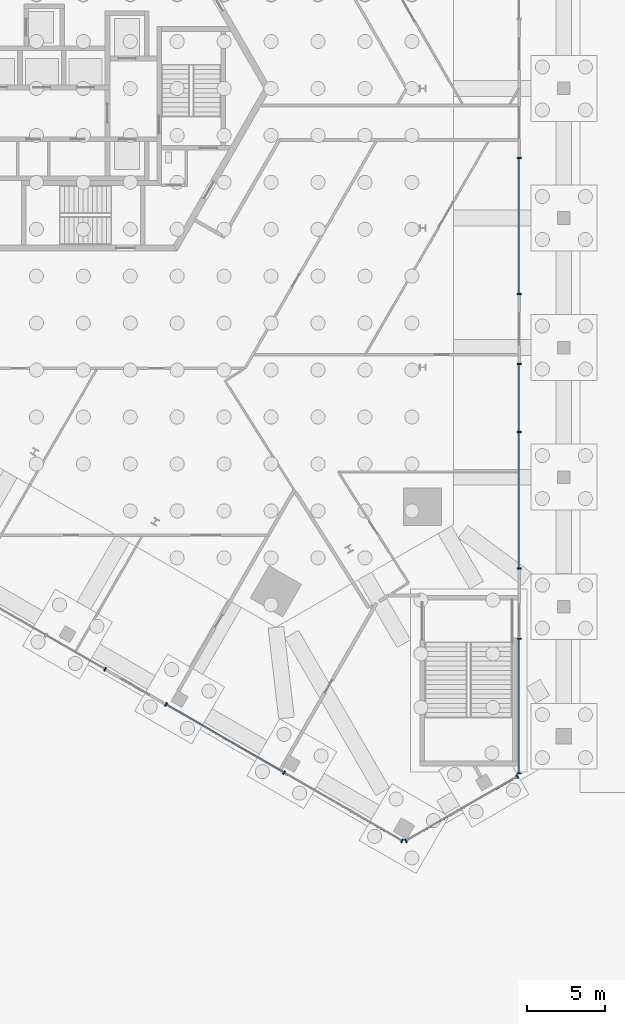
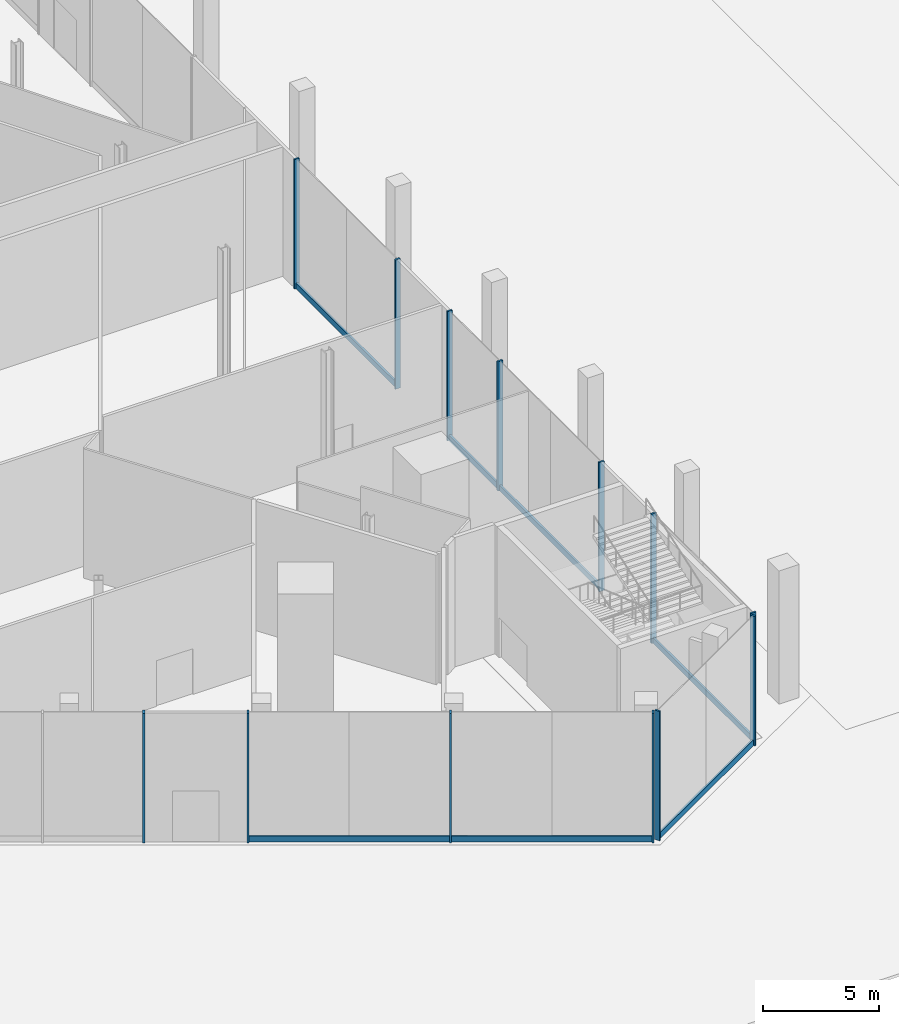
# One storey, part 10 of 27: 20 members, 6 elements without a shape of their own.
"""IFC4 building model written with IfcOpenShell, lengths in metres."""

from ifc_helpers import new_model, si_unit, direction, frame, origin, origin_2d, place, context, subcontext, project, spatial, rectangle, extrude, source, transform, mapped, material, material_profile, profile_set, type_object, element, aggregate, save


model = new_model("IFC4")

# Units and contexts
model_context = context("Model", 3, precision=1e-05, world=origin(), true_north=direction((0.0, 1.0)))
body_context = subcontext(model_context, "Body", "Model", "MODEL_VIEW")
ifc_project = project(units=[si_unit("LENGTHUNIT", "METRE"), si_unit("AREAUNIT", "SQUARE_METRE"), si_unit("VOLUMEUNIT", "CUBIC_METRE"), si_unit("PLANEANGLEUNIT", "RADIAN"), si_unit("MASSUNIT", "GRAM", prefix="KILO")], contexts=[model_context])

# Site, building, storey
site_placement = place(None, origin())
site = spatial("IfcSite", under=ifc_project, at=site_placement, CompositionType="ELEMENT")
building_placement = place(site_placement, origin())
building = spatial("IfcBuilding", under=site, at=building_placement, Name="Triune Harvest Tower", CompositionType="ELEMENT")
storey_placement = place(building_placement, origin())
storey = spatial("IfcBuildingStorey", under=building, at=storey_placement, Name="L00", CompositionType="ELEMENT", Elevation=0.0)

# Curtain wall, member
ifc_material_1 = material(Name="Aluminium bronze anodised", Category="aluminium")
curtain_wall_type = type_object("IfcCurtainWallType", Name="CW-2 Podium shopfront wall", PredefinedType="NOTDEFINED", material=ifc_material_1)
curtain_wall_1_placement = place(storey_placement, origin())
curtain_wall_1 = element("IfcCurtainWall", 1, at=curtain_wall_1_placement, inside=storey, type_object=curtain_wall_type, Name="CW-2 PD-F1 L00 run 2")
ifc_material_2 = material(Name="Aluminium bronze anodised", Category="aluminium")
ifc_material_profile_1 = material_profile(ifc_material_2, rectangle(XDim=0.10009765625, YDim=0.300048828125, at=origin_2d()), Name="TR-2 transom 100 x 300")
ifc_profile_set_1 = profile_set([ifc_material_profile_1], Name="Aluminium bronze anodised")
member_type_1 = type_object("IfcMemberType", Name="TR-2 transom 100 x 300", PredefinedType="USERDEFINED", material=ifc_profile_set_1)
member_1_placement = place(storey_placement, frame((27.854248046875, -21.90771484375, 0.14990234375), z_axis=(0.0, 1.0, 0.0), x_axis=(-1.0, 0.0, 0.0)))
member_1 = element("IfcMember", 2, at=member_1_placement, type_object=member_type_1, Name="CW-2 transom PD-F1 2.2", ObjectType="TRANSOM", PredefinedType="USERDEFINED", context=body_context, shape_type="SweptSolid", body=[
    extrude(rectangle(XDim=0.10009765625, YDim=0.300048828125, at=origin_2d()), origin(), (0.0, 0.0, 1.0), 4.255615234375),
])

# Curtain wall, members
curtain_wall_2_placement = place(storey_placement, origin())
curtain_wall_2 = element("IfcCurtainWall", 3, at=curtain_wall_2_placement, inside=storey, type_object=curtain_wall_type, Name="CW-2 PD-F1 L00 run 1")
ifc_material_3 = material(Name="Aluminium bronze anodised", Category="aluminium")
ifc_material_profile_2 = material_profile(ifc_material_3, rectangle(XDim=0.25, YDim=0.090087890625, at=origin_2d()), Name="MU-2 mullion 90 x 250")
ifc_profile_set_2 = profile_set([ifc_material_profile_2], Name="Aluminium bronze anodised")
member_type_2 = type_object("IfcMemberType", Name="MU-2 mullion 90 x 250", PredefinedType="MULLION", material=ifc_profile_set_2)
shared_shape_1 = source(origin(), body_context, "Body", "SweptSolid", [
    extrude(rectangle(XDim=0.25, YDim=0.090087890625, at=origin_2d()), origin(), (0.0, 0.0, 1.0), 6.800048828125),
])
member_2_placement = place(storey_placement, frame((27.854248046875, -43.770263671875, 0.0), z_axis=(0.0, 0.0, 1.0), x_axis=(-1.0, 0.0, 0.0)))
member_2 = element("IfcMember", 4, at=member_2_placement, type_object=member_type_2, Name="CW-2 mullion PD-F1 1.1", PredefinedType="MULLION", context=body_context, shape_type="MappedRepresentation", body=[
    mapped(shared_shape_1, transform((0.0, 0.0, 0.0), scale=1.0)),
])
member_3_placement = place(storey_placement, frame((27.854248046875, -35.169189453125, 0.0), z_axis=(0.0, 0.0, 1.0), x_axis=(-1.0, 0.0, 0.0)))
member_3 = element("IfcMember", 5, at=member_3_placement, type_object=member_type_2, Name="CW-2 mullion PD-F1 1.3", PredefinedType="MULLION", context=body_context, shape_type="MappedRepresentation", body=[
    mapped(shared_shape_1, transform((0.0, 0.0, 0.0), scale=1.0)),
])

# Member
member_4_placement = place(storey_placement, frame((27.854248046875, -30.688720703125, 0.0), z_axis=(0.0, 0.0, 1.0), x_axis=(-1.0, 0.0, 0.0)))
member_4 = element("IfcMember", 6, at=member_4_placement, type_object=member_type_2, Name="CW-2 mullion PD-F1 2.1", PredefinedType="MULLION", context=body_context, shape_type="MappedRepresentation", body=[
    mapped(shared_shape_1, transform((0.0, 0.0, 0.0), scale=1.0)),
])

member_5_placement = place(storey_placement, frame((27.854248046875, -21.95263671875, 0.0), z_axis=(0.0, 0.0, 1.0), x_axis=(-1.0, 0.0, 0.0)))
member_5 = element("IfcMember", 7, at=member_5_placement, type_object=member_type_2, Name="CW-2 mullion PD-F1 2.3", PredefinedType="MULLION", context=body_context, shape_type="MappedRepresentation", body=[
    mapped(shared_shape_1, transform((0.0, 0.0, 0.0), scale=1.0)),
])

member_6_placement = place(storey_placement, frame((27.854248046875, -17.607177734375, 0.0), z_axis=(0.0, 0.0, 1.0), x_axis=(-1.0, 0.0, 0.0)))
member_6 = element("IfcMember", 8, at=member_6_placement, type_object=member_type_2, Name="CW-2 mullion PD-F1 2.4", PredefinedType="MULLION", context=body_context, shape_type="MappedRepresentation", body=[
    mapped(shared_shape_1, transform((0.0, 0.0, 0.0), scale=1.0)),
])

# Curtain wall, members
curtain_wall_3_placement = place(storey_placement, origin())
curtain_wall_3 = element("IfcCurtainWall", 9, at=curtain_wall_3_placement, inside=storey, type_object=curtain_wall_type, Name="CW-2 PD-F1 L00 run 3")
member_7_placement = place(storey_placement, frame((27.854248046875, -13.12646484375, 0.0), z_axis=(0.0, 0.0, 1.0), x_axis=(-1.0, 0.0, 0.0)))
member_7 = element("IfcMember", 10, at=member_7_placement, type_object=member_type_2, Name="CW-2 mullion PD-F1 3.1", PredefinedType="MULLION", context=body_context, shape_type="MappedRepresentation", body=[
    mapped(shared_shape_1, transform((0.0, 0.0, 0.0), scale=1.0)),
])
member_8_placement = place(storey_placement, frame((27.854248046875, -4.435546875, 0.0), z_axis=(0.0, 0.0, 1.0), x_axis=(-1.0, 0.0, 0.0)))
member_8 = element("IfcMember", 11, at=member_8_placement, type_object=member_type_2, Name="CW-2 mullion PD-F1 3.3", PredefinedType="MULLION", context=body_context, shape_type="MappedRepresentation", body=[
    mapped(shared_shape_1, transform((0.0, 0.0, 0.0), scale=1.0)),
])

# Curtain wall, member
curtain_wall_4_placement = place(storey_placement, origin())
curtain_wall_4 = element("IfcCurtainWall", 12, at=curtain_wall_4_placement, inside=storey, type_object=curtain_wall_type, Name="CW-2 PD-F5 L00 run 3")
member_9_placement = place(storey_placement, frame((1.39208984375, -37.1240234375, 0.0), z_axis=(0.0, 0.0, 1.0), x_axis=(0.500000221117, 0.866025276122, 0.0)))
member_9 = element("IfcMember", 13, at=member_9_placement, type_object=member_type_2, Name="CW-2 mullion PD-F5 3.6", PredefinedType="MULLION", context=body_context, shape_type="MappedRepresentation", body=[
    mapped(shared_shape_1, transform((0.0, 0.0, 0.0), scale=1.0)),
])
aggregate(curtain_wall_4, [member_9])

# Curtain wall, members
curtain_wall_5_placement = place(storey_placement, origin())
curtain_wall_5 = element("IfcCurtainWall", 14, at=curtain_wall_5_placement, inside=storey, type_object=curtain_wall_type, Name="CW-2 PD-F5 L00 run 4")
member_10_placement = place(storey_placement, frame((5.282958984375, -39.370361328125, 0.0), z_axis=(0.0, 0.0, 1.0), x_axis=(0.500000221117, 0.866025276122, 0.0)))
member_10 = element("IfcMember", 15, at=member_10_placement, type_object=member_type_2, Name="CW-2 mullion PD-F5 4.1", PredefinedType="MULLION", context=body_context, shape_type="MappedRepresentation", body=[
    mapped(shared_shape_1, transform((0.0, 0.0, 0.0), scale=1.0)),
])
member_11_placement = place(storey_placement, frame((12.8310546875, -43.728271484375, 0.0), z_axis=(0.0, 0.0, 1.0), x_axis=(0.500000221117, 0.866025276122, 0.0)))
member_11 = element("IfcMember", 16, at=member_11_placement, type_object=member_type_2, Name="CW-2 mullion PD-F5 4.3", PredefinedType="MULLION", context=body_context, shape_type="MappedRepresentation", body=[
    mapped(shared_shape_1, transform((0.0, 0.0, 0.0), scale=1.0)),
])
member_12_placement = place(storey_placement, frame((20.37890625, -48.086181640625, 0.0), z_axis=(0.0, 0.0, 1.0), x_axis=(0.500000221117, 0.866025276122, 0.0)))
member_12 = element("IfcMember", 17, at=member_12_placement, type_object=member_type_2, Name="CW-2 mullion PD-F5 4.5", PredefinedType="MULLION", context=body_context, shape_type="MappedRepresentation", body=[
    mapped(shared_shape_1, transform((0.0, 0.0, 0.0), scale=1.0)),
])

curtain_wall_6_placement = place(storey_placement, origin())
curtain_wall_6 = element("IfcCurtainWall", 18, at=curtain_wall_6_placement, inside=storey, type_object=curtain_wall_type, Name="CW-2 PD-F6 L00 run 1")
member_13_placement = place(storey_placement, frame((20.61279296875, -48.086181640625, 0.0), z_axis=(0.0, 0.0, 1.0), x_axis=(-0.5000022755, 0.86602409002, 0.0)))
member_13 = element("IfcMember", 19, at=member_13_placement, type_object=member_type_2, Name="CW-2 mullion PD-F6 1.1", PredefinedType="MULLION", context=body_context, shape_type="MappedRepresentation", body=[
    mapped(shared_shape_1, transform((0.0, 0.0, 0.0), scale=1.0)),
])
member_14_placement = place(storey_placement, frame((27.7373046875, -43.97265625, 0.0), z_axis=(0.0, 0.0, 1.0), x_axis=(-0.5000022755, 0.86602409002, 0.0)))
member_14 = element("IfcMember", 20, at=member_14_placement, type_object=member_type_2, Name="CW-2 mullion PD-F6 1.3", PredefinedType="MULLION", context=body_context, shape_type="MappedRepresentation", body=[
    mapped(shared_shape_1, transform((0.0, 0.0, 0.0), scale=1.0)),
])

# Member
shared_shape_2 = source(origin(), body_context, "Body", "SweptSolid", [
    extrude(rectangle(XDim=0.10009765625, YDim=0.300048828125, at=origin_2d()), origin(), (0.0, 0.0, 1.0), 8.510986328125),
])
member_15_placement = place(storey_placement, frame((27.854248046875, -43.72509765625, 0.14990234375), z_axis=(0.0, 1.0, 0.0), x_axis=(-1.0, 0.0, 0.0)))
member_15 = element("IfcMember", 21, at=member_15_placement, type_object=member_type_1, Name="CW-2 transom PD-F1 1.1", ObjectType="TRANSOM", PredefinedType="USERDEFINED", context=body_context, shape_type="MappedRepresentation", body=[
    mapped(shared_shape_2, transform((0.0, 0.0, 0.0), scale=1.0)),
])

aggregate(curtain_wall_2, [member_2, member_3, member_15])

shared_shape_3 = source(origin(), body_context, "Body", "SweptSolid", [
    extrude(rectangle(XDim=0.10009765625, YDim=0.300048828125, at=origin_2d()), origin(), (0.0, 0.0, 1.0), 8.64599609375),
])
member_16_placement = place(storey_placement, frame((27.854248046875, -30.6435546875, 0.14990234375), z_axis=(0.0, 1.0, 0.0), x_axis=(-1.0, 0.0, 0.0)))
member_16 = element("IfcMember", 22, at=member_16_placement, type_object=member_type_1, Name="CW-2 transom PD-F1 2.1", ObjectType="TRANSOM", PredefinedType="USERDEFINED", context=body_context, shape_type="MappedRepresentation", body=[
    mapped(shared_shape_3, transform((0.0, 0.0, 0.0), scale=1.0)),
])

aggregate(curtain_wall_1, [member_4, member_5, member_6, member_16, member_1])

shared_shape_4 = source(origin(), body_context, "Body", "SweptSolid", [
    extrude(rectangle(XDim=0.10009765625, YDim=0.300048828125, at=origin_2d()), origin(), (0.0, 0.0, 1.0), 8.60107421875),
])
member_17_placement = place(storey_placement, frame((27.854248046875, -13.08154296875, 0.14990234375), z_axis=(0.0, 1.0, 0.0), x_axis=(-1.0, 0.0, 0.0)))
member_17 = element("IfcMember", 23, at=member_17_placement, type_object=member_type_1, Name="CW-2 transom PD-F1 3.1", ObjectType="TRANSOM", PredefinedType="USERDEFINED", context=body_context, shape_type="MappedRepresentation", body=[
    mapped(shared_shape_4, transform((0.0, 0.0, 0.0), scale=1.0)),
])

aggregate(curtain_wall_3, [member_7, member_8, member_17])

shared_shape_5 = source(origin(), body_context, "Body", "SweptSolid", [
    extrude(rectangle(XDim=0.10009765625, YDim=0.300048828125, at=origin_2d()), origin(), (0.0, 0.0, 1.0), 8.136962890625),
])
member_18_placement = place(storey_placement, frame((20.65185546875, -48.063720703125, 0.14990234375), z_axis=(0.86601320148, 0.500021134416, 0.0), x_axis=(-0.500021134416, 0.86601320148, 0.0)))
member_18 = element("IfcMember", 24, at=member_18_placement, type_object=member_type_1, Name="CW-2 transom PD-F6 1.1", ObjectType="TRANSOM", PredefinedType="USERDEFINED", context=body_context, shape_type="MappedRepresentation", body=[
    mapped(shared_shape_5, transform((0.0, 0.0, 0.0), scale=1.0)),
])

aggregate(curtain_wall_6, [member_13, member_14, member_18])

shared_shape_6 = source(origin(), body_context, "Body", "SweptSolid", [
    extrude(rectangle(XDim=0.10009765625, YDim=0.300048828125, at=origin_2d()), origin(), (0.0, 0.0, 1.0), 8.6259765625),
])
member_19_placement = place(storey_placement, frame((12.869873046875, -43.750732421875, 0.14990234375), z_axis=(0.866022505755, -0.5000050195, 0.0), x_axis=(0.5000050195, 0.866022505755, 0.0)))
member_19 = element("IfcMember", 25, at=member_19_placement, type_object=member_type_1, Name="CW-2 transom PD-F5 4.2", ObjectType="TRANSOM", PredefinedType="USERDEFINED", context=body_context, shape_type="MappedRepresentation", body=[
    mapped(shared_shape_6, transform((0.0, 0.0, 0.0), scale=1.0)),
])

shared_shape_7 = source(origin(), body_context, "Body", "SweptSolid", [
    extrude(rectangle(XDim=0.10009765625, YDim=0.300048828125, at=origin_2d()), origin(), (0.0, 0.0, 1.0), 8.62548828125),
])
member_20_placement = place(storey_placement, frame((5.322021484375, -39.39306640625, 0.14990234375), z_axis=(0.866027685701, -0.499996047583, 0.0), x_axis=(0.499996047583, 0.866027685701, 0.0)))
member_20 = element("IfcMember", 26, at=member_20_placement, type_object=member_type_1, Name="CW-2 transom PD-F5 4.1", ObjectType="TRANSOM", PredefinedType="USERDEFINED", context=body_context, shape_type="MappedRepresentation", body=[
    mapped(shared_shape_7, transform((0.0, 0.0, 0.0), scale=1.0)),
])

aggregate(curtain_wall_5, [member_10, member_11, member_12, member_20, member_19])

save(model, "model.ifc")
